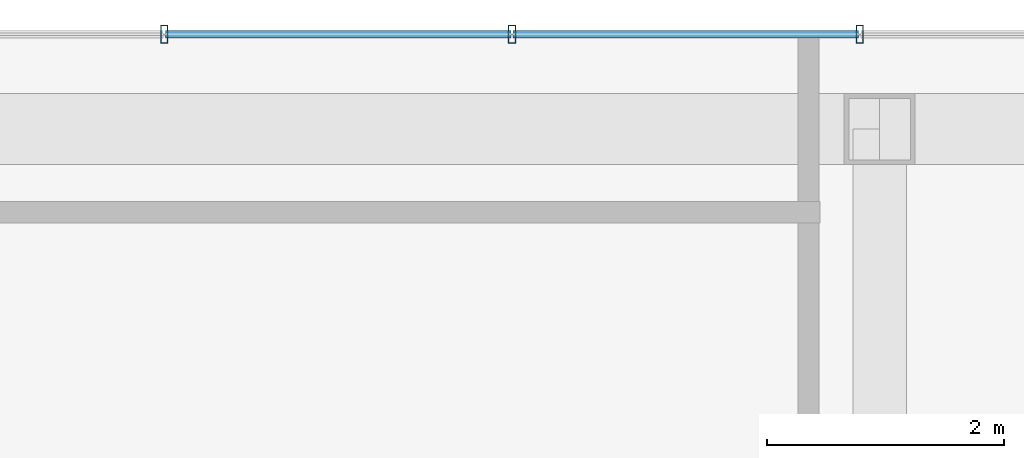
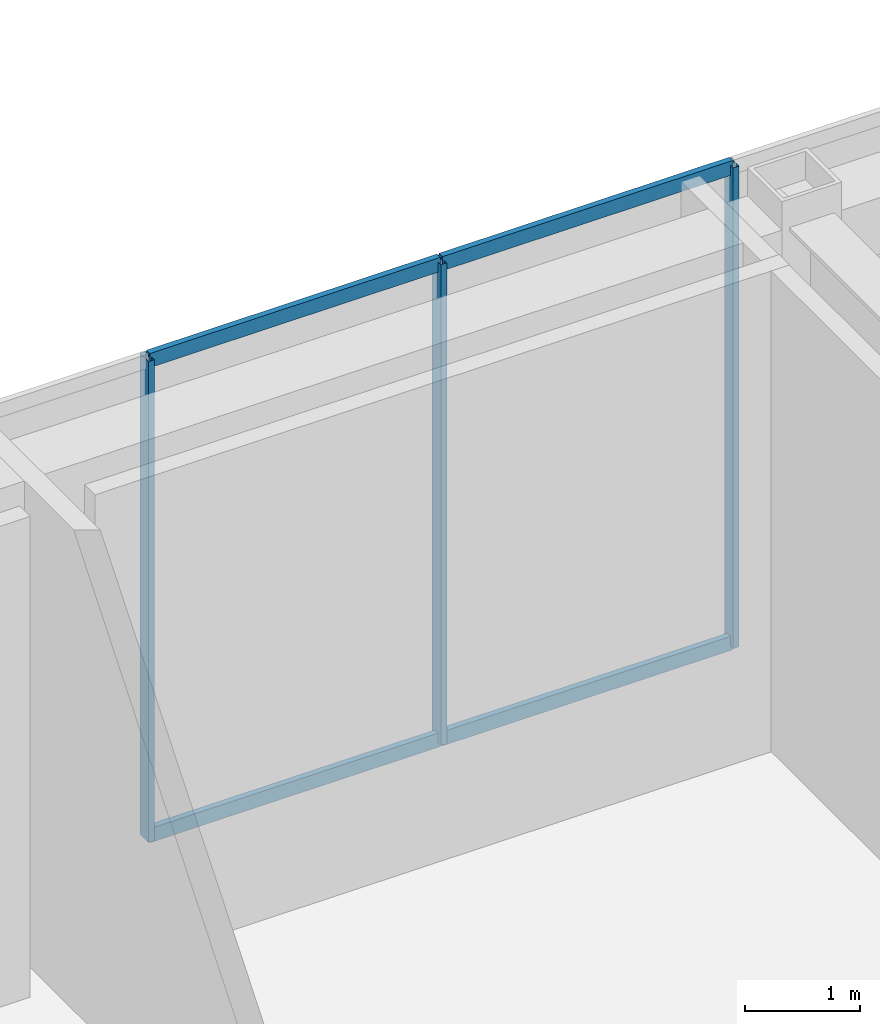
# One storey, part 5 of 9: 7 members, 1 element without a shape of its own.
"""IFC4 building model written with IfcOpenShell, lengths in metres."""

from ifc_helpers import new_model, si_unit, direction, frame, origin, origin_2d, place, context, subcontext, project, spatial, hollow_rectangle, extrude, material, material_profile, profile_set, type_object, element, aggregate, save


model = new_model("IFC4")

# Units and contexts
model_context = context("Model", 3, precision=1e-05, world=origin(), true_north=direction((0.0, 1.0)))
body_context = subcontext(model_context, "Body", "Model", "MODEL_VIEW")
ifc_project = project(units=[si_unit("LENGTHUNIT", "METRE"), si_unit("AREAUNIT", "SQUARE_METRE"), si_unit("VOLUMEUNIT", "CUBIC_METRE"), si_unit("PLANEANGLEUNIT", "RADIAN"), si_unit("MASSUNIT", "GRAM", prefix="KILO")], contexts=[model_context])

# Site, building, storey
site_placement = place(None, origin())
site = spatial("IfcSite", under=ifc_project, at=site_placement, CompositionType="ELEMENT")
building_placement = place(site_placement, origin())
building = spatial("IfcBuilding", under=site, at=building_placement, Name="Ventersveld Concourse Tower", CompositionType="ELEMENT")
storey_placement = place(building_placement, frame((0.0, 0.0, 377.449951171875)))
storey = spatial("IfcBuildingStorey", under=building, at=storey_placement, Name="L92", CompositionType="ELEMENT", Elevation=377.449951171875)

# Curtain wall, members
ifc_material = material(Name="Anodised aluminium EN AW-6063-T6", Category="aluminium")
curtain_wall_type = type_object("IfcCurtainWallType", Name="CW-CRN-6", PredefinedType="NOTDEFINED", material=ifc_material)
curtain_wall_placement = place(storey_placement, origin())
curtain_wall = element("IfcCurtainWall", 1, at=curtain_wall_placement, inside=storey, type_object=curtain_wall_type, Name="L92 L92 Crown North Glazed Curtain Wall", PredefinedType="NOTDEFINED")
ifc_material_profile_1 = material_profile(ifc_material, hollow_rectangle(XDim=0.06005859375, YDim=0.14990234375, WallThickness=0.00390625, at=origin_2d()), Name="ALU 150x60x4")
ifc_profile_set_1 = profile_set([ifc_material_profile_1], Name="Anodised aluminium EN AW-6063-T6")
member_type_1 = type_object("IfcMemberType", Name="CWM-150x65", PredefinedType="MULLION", material=ifc_profile_set_1)
member_1_placement = place(storey_placement, frame((36.083251953125, 22.0, 0.0), z_axis=(0.0, 0.0, 1.0), x_axis=(1.0, 0.0, 0.0)))
member_1 = element("IfcMember", 2, at=member_1_placement, type_object=member_type_1, Name="CW-L92-N Mullion 03", PredefinedType="MULLION", context=body_context, shape_type="SweptSolid", body=[
    extrude(hollow_rectangle(XDim=0.06005859375, YDim=0.14990234375, WallThickness=0.00390625, at=origin_2d()), origin(), (0.0, 0.0, 1.0), 5.10009765625),
])
member_2_placement = place(storey_placement, frame((33.14990234375, 22.0, 0.0), z_axis=(0.0, 0.0, 1.0), x_axis=(1.0, 0.0, 0.0)))
member_2 = element("IfcMember", 3, at=member_2_placement, type_object=member_type_1, Name="CW-L92-N Mullion 04", PredefinedType="MULLION", context=body_context, shape_type="SweptSolid", body=[
    extrude(hollow_rectangle(XDim=0.06005859375, YDim=0.14990234375, WallThickness=0.00390625, at=origin_2d()), origin(), (0.0, 0.0, 1.0), 5.10009765625),
])
member_3_placement = place(storey_placement, frame((30.216796875, 22.0, 0.0), z_axis=(0.0, 0.0, 1.0), x_axis=(1.0, 0.0, 0.0)))
member_3 = element("IfcMember", 4, at=member_3_placement, type_object=member_type_1, Name="CW-L92-N Mullion 05", PredefinedType="MULLION", context=body_context, shape_type="SweptSolid", body=[
    extrude(hollow_rectangle(XDim=0.06005859375, YDim=0.14990234375, WallThickness=0.00390625, at=origin_2d()), origin(), (0.0, 0.0, 1.0), 5.10009765625),
])
ifc_material_profile_2 = material_profile(ifc_material, hollow_rectangle(XDim=0.06005859375, YDim=0.14990234375, WallThickness=0.00390625, at=origin_2d()), Name="ALU 150x60x4")
ifc_profile_set_2 = profile_set([ifc_material_profile_2], Name="Anodised aluminium EN AW-6063-T6")
member_type_2 = type_object("IfcMemberType", Name="CWT-150x60", PredefinedType="USERDEFINED", material=ifc_profile_set_2)
member_4_placement = place(storey_placement, frame((36.0732421875, 22.0, 0.030029296875), z_axis=(-1.0, 0.0, 0.0), x_axis=(0.0, -1.0, 0.0)))
member_4 = element("IfcMember", 5, at=member_4_placement, type_object=member_type_2, Name="CW-L92-N Transom 1-03", ObjectType="TRANSOM", PredefinedType="USERDEFINED", context=body_context, shape_type="SweptSolid", body=[
    extrude(hollow_rectangle(XDim=0.06005859375, YDim=0.14990234375, WallThickness=0.00390625, at=origin_2d()), origin(), (0.0, 0.0, 1.0), 2.913330078125),
])
member_5_placement = place(storey_placement, frame((33.139892578125, 22.0, 0.030029296875), z_axis=(-1.0, 0.0, 0.0), x_axis=(0.0, -1.0, 0.0)))
member_5 = element("IfcMember", 6, at=member_5_placement, type_object=member_type_2, Name="CW-L92-N Transom 1-04", ObjectType="TRANSOM", PredefinedType="USERDEFINED", context=body_context, shape_type="SweptSolid", body=[
    extrude(hollow_rectangle(XDim=0.06005859375, YDim=0.14990234375, WallThickness=0.00390625, at=origin_2d()), origin(), (0.0, 0.0, 1.0), 2.9130859375),
])
member_6_placement = place(storey_placement, frame((36.0732421875, 22.0, 5.070068359375), z_axis=(-1.0, 0.0, 0.0), x_axis=(0.0, -1.0, 0.0)))
member_6 = element("IfcMember", 7, at=member_6_placement, type_object=member_type_2, Name="CW-L92-N Transom 2-03", ObjectType="TRANSOM", PredefinedType="USERDEFINED", context=body_context, shape_type="SweptSolid", body=[
    extrude(hollow_rectangle(XDim=0.06005859375, YDim=0.14990234375, WallThickness=0.00390625, at=origin_2d()), origin(), (0.0, 0.0, 1.0), 2.913330078125),
])
member_7_placement = place(storey_placement, frame((33.139892578125, 22.0, 5.070068359375), z_axis=(-1.0, 0.0, 0.0), x_axis=(0.0, -1.0, 0.0)))
member_7 = element("IfcMember", 8, at=member_7_placement, type_object=member_type_2, Name="CW-L92-N Transom 2-04", ObjectType="TRANSOM", PredefinedType="USERDEFINED", context=body_context, shape_type="SweptSolid", body=[
    extrude(hollow_rectangle(XDim=0.06005859375, YDim=0.14990234375, WallThickness=0.00390625, at=origin_2d()), origin(), (0.0, 0.0, 1.0), 2.9130859375),
])
aggregate(curtain_wall, [member_1, member_2, member_3, member_4, member_5, member_6, member_7])

save(model, "model.ifc")
